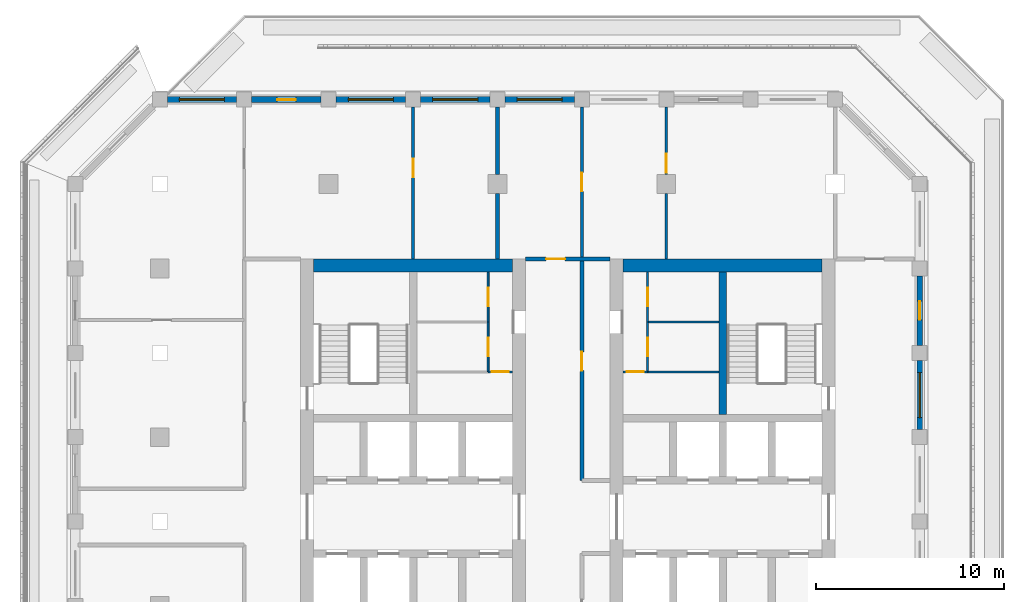
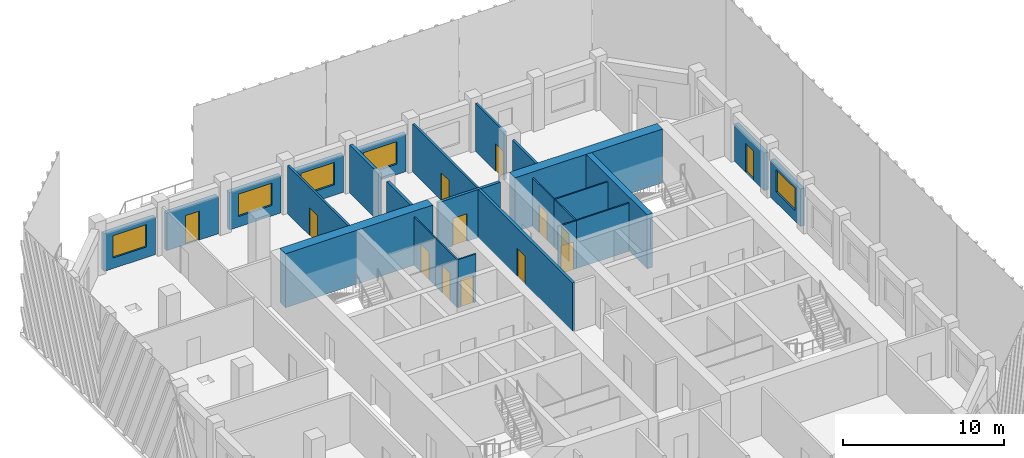
# One storey, part 6 of 14: 26 walls, 13 doors, 5 windows, 18 openings.
"""IFC4 building model written with IfcOpenShell, lengths in metres."""

from ifc_helpers import new_model, si_unit, direction, frame, frame_2d, origin, place, context, subcontext, project, spatial, rectangle, extrude, material, layer, layer_set, type_object, element, fill, save


model = new_model("IFC4")

# Units and contexts
model_context = context("Model", 3, precision=1e-05, world=origin(), true_north=direction((0.0, 1.0)))
body_context = subcontext(model_context, "Body", "Model", "MODEL_VIEW")
ifc_project = project(units=[si_unit("LENGTHUNIT", "METRE"), si_unit("AREAUNIT", "SQUARE_METRE"), si_unit("VOLUMEUNIT", "CUBIC_METRE"), si_unit("PLANEANGLEUNIT", "RADIAN"), si_unit("MASSUNIT", "GRAM", prefix="KILO")], contexts=[model_context])

# Site, building, storey
site_placement = place(None, origin())
site = spatial("IfcSite", under=ifc_project, at=site_placement, CompositionType="ELEMENT")
building_placement = place(site_placement, origin())
building = spatial("IfcBuilding", under=site, at=building_placement, Name="Corbel Stack Research Tower", CompositionType="ELEMENT")
storey_placement = place(building_placement, frame((0.0, 0.0, 266.300048828125)))
storey = spatial("IfcBuildingStorey", under=building, at=storey_placement, Name="L60", CompositionType="ELEMENT", Elevation=266.300048828125)

# Walls
ifc_material_1 = material(Name="Concrete C60/75", Category="concrete")
ifc_layer_1 = layer(ifc_material_1, 0.39990234375)
ifc_layer_set_1 = layer_set([ifc_layer_1], Name="Concrete C60/75")
wall_type_1 = type_object("IfcWallType", Name="CW-400-60", PredefinedType="SHEAR", material=ifc_layer_set_1)
wall_1_placement = place(storey_placement, frame((12.0, 10.199951171875, 0.0), z_axis=(0.0, 0.0, 1.0), x_axis=(0.0, 1.0, 0.0)))
element("IfcWall", 1, at=wall_1_placement, inside=storey, type_object=wall_type_1, Name="East core wall, north stair and riser L60", PredefinedType="SHEAR", context=body_context, shape_type="SweptSolid", body=[
    extrude(rectangle(XDim=7.60009765625, YDim=0.39990234375, at=frame_2d((3.800048828125, 0.0))), origin(), (0.0, 0.0, 1.0), 4.099853515625),
])
ifc_material_2 = material(Name="Concrete C60/75", Category="concrete")
ifc_layer_2 = layer(ifc_material_2, 0.699951171875)
ifc_layer_set_2 = layer_set([ifc_layer_2], Name="Concrete C60/75")
wall_type_2 = type_object("IfcWallType", Name="CW-700-60", PredefinedType="SHEAR", material=ifc_layer_set_2)
for number, where, z_axis, x_axis, name in (
    (2, (-9.800048828125, 18.14990234375, 0.0), (0.0, 0.0, 1.0), (1.0, 0.0, 0.0), "West core wall, north end L60"),
    (3, (6.699951171875, 18.14990234375, 0.0), (0.0, 0.0, 1.0), (1.0, 0.0, 0.0), "East core wall, north end L60"),
):
    element("IfcWall", number, at=place(storey_placement, frame(where, z_axis=z_axis, x_axis=x_axis)), inside=storey, type_object=wall_type_2, Name=name, PredefinedType="SHEAR", context=body_context, shape_type="SweptSolid", body=[
        extrude(rectangle(XDim=10.60009765625, YDim=0.699951171875, at=frame_2d((5.300048828125, 0.0))), origin(), (0.0, 0.0, 1.0), 4.099853515625),
    ])

# Wall, opening, door
ifc_material_3 = material(Name="Gypsum board")
ifc_layer_3 = layer(ifc_material_3, 0.10009765625)
ifc_layer_set_3 = layer_set([ifc_layer_3], Name="Gypsum board")
wall_type_3 = type_object("IfcWallType", Name="Core partition 100", PredefinedType="PARTITIONING", material=ifc_layer_set_3)
wall_2_placement = place(storey_placement, frame((-0.5, 12.47998046875, 0.0), z_axis=(0.0, 0.0, 1.0), x_axis=(1.0, 0.0, 0.0)))
wall_2 = element("IfcWall", 4, at=wall_2_placement, inside=storey, type_object=wall_type_3, Name="Core partition W", PredefinedType="PARTITIONING", context=body_context, shape_type="SweptSolid", body=[
    extrude(rectangle(XDim=1.300048828125, YDim=0.10009765625, at=frame_2d((0.64990234375, 0.0))), origin(), (0.0, 0.0, 1.0), 3.64990234375),
])
opening_1_placement = place(wall_2_placement, frame((0.199951171875, 0.0, 0.0)))
opening_1 = element("IfcOpeningElement", 5, at=opening_1_placement, cuts=wall_2, Name="Opening CR-W24-R1-900", PredefinedType="OPENING", context=body_context, shape_type="SweptSolid", body=[
    extrude(rectangle(XDim=0.89990234375, YDim=2.10009765625, at=frame_2d((0.449951171875, 1.050048828125))), frame((0.0, 0.06005859375, 0.0), z_axis=(0.0, -1.0, 0.0), x_axis=(1.0, 0.0, 0.0)), (0.0, 0.0, 1.0), 0.1201171875),
])
ifc_material_4 = material(Name="Painted steel door", Category="steel")
door_type_1 = type_object("IfcDoorType", Name="Riser door 900 x 2100 FD60 left hand", OperationType="SINGLE_SWING_LEFT", PredefinedType="DOOR", material=ifc_material_4)
door_1_placement = place(opening_1_placement, origin())
door_1 = element("IfcDoor", 6, at=door_1_placement, inside=storey, type_object=door_type_1, Name="Electrical riser door W core", OperationType="SINGLE_SWING_LEFT", OverallHeight=2.10009765625, OverallWidth=0.89990234375, PredefinedType="DOOR", context=body_context, shape_type="SweptSolid", body=[
    extrude(rectangle(XDim=0.89990234375, YDim=2.10009765625, at=frame_2d((0.449951171875, 1.050048828125))), frame((0.0, 0.02490234375, 0.0), z_axis=(0.0, -1.0, 0.0), x_axis=(1.0, 0.0, 0.0)), (0.0, 0.0, 1.0), 0.050048828125),
])
fill(opening_1, door_1)

wall_3_placement = place(storey_placement, frame((-0.5, 12.47998046875, 0.0), z_axis=(0.0, 0.0, 1.0), x_axis=(0.0, 1.0, 0.0)))
wall_3 = element("IfcWall", 7, at=wall_3_placement, inside=storey, type_object=wall_type_3, Name="Core partition W", PredefinedType="PARTITIONING", context=body_context, shape_type="SweptSolid", body=[
    extrude(rectangle(XDim=2.659912109375, YDim=0.10009765625, at=frame_2d((1.330078125, 0.0))), origin(), (0.0, 0.0, 1.0), 3.64990234375),
])
opening_2_placement = place(wall_3_placement, frame((0.830078125, 0.0, 0.0)))
opening_2 = element("IfcOpeningElement", 8, at=opening_2_placement, cuts=wall_3, Name="Opening CR-W24-R3-1000", PredefinedType="OPENING", context=body_context, shape_type="SweptSolid", body=[
    extrude(rectangle(XDim=1.0, YDim=2.10009765625, at=frame_2d((0.5, 1.050048828125))), frame((0.0, 0.06005859375, 0.0), z_axis=(0.0, -1.0, 0.0), x_axis=(1.0, 0.0, 0.0)), (0.0, 0.0, 1.0), 0.1201171875),
])
ifc_material_5 = material(Name="Painted steel door", Category="steel")
door_type_2 = type_object("IfcDoorType", Name="Service door 1000 x 2100 FD30 left hand", OperationType="SINGLE_SWING_LEFT", PredefinedType="DOOR", material=ifc_material_5)
door_2_placement = place(opening_2_placement, origin())
door_2 = element("IfcDoor", 9, at=door_2_placement, inside=storey, type_object=door_type_2, Name="Pantry door W core", OperationType="SINGLE_SWING_LEFT", OverallHeight=2.10009765625, OverallWidth=1.0, PredefinedType="DOOR", context=body_context, shape_type="SweptSolid", body=[
    extrude(rectangle(XDim=1.0, YDim=2.10009765625, at=frame_2d((0.5, 1.050048828125))), frame((0.0, 0.02490234375, 0.0), z_axis=(0.0, -1.0, 0.0), x_axis=(1.0, 0.0, 0.0)), (0.0, 0.0, 1.0), 0.050048828125),
])
fill(opening_2, door_2)

wall_4_placement = place(storey_placement, frame((-0.5, 15.139892578125, 0.0), z_axis=(0.0, 0.0, 1.0), x_axis=(0.0, 1.0, 0.0)))
wall_4 = element("IfcWall", 10, at=wall_4_placement, inside=storey, type_object=wall_type_3, Name="Core partition W", PredefinedType="PARTITIONING", context=body_context, shape_type="SweptSolid", body=[
    extrude(rectangle(XDim=2.66015625, YDim=0.10009765625, at=frame_2d((1.330078125, 0.0))), origin(), (0.0, 0.0, 1.0), 3.64990234375),
])
opening_3_placement = place(wall_4_placement, frame((0.830078125, 0.0, 0.0)))
opening_3 = element("IfcOpeningElement", 11, at=opening_3_placement, cuts=wall_4, Name="Opening CR-W24-R4-1000", PredefinedType="OPENING", context=body_context, shape_type="SweptSolid", body=[
    extrude(rectangle(XDim=1.0, YDim=2.10009765625, at=frame_2d((0.5, 1.050048828125))), frame((0.0, 0.06005859375, 0.0), z_axis=(0.0, -1.0, 0.0), x_axis=(1.0, 0.0, 0.0)), (0.0, 0.0, 1.0), 0.1201171875),
])
ifc_material_6 = material(Name="Painted steel door", Category="steel")
door_type_3 = type_object("IfcDoorType", Name="Service door 1000 x 2100 FD30 right hand", OperationType="SINGLE_SWING_RIGHT", PredefinedType="DOOR", material=ifc_material_6)
door_3_placement = place(opening_3_placement, origin())
door_3 = element("IfcDoor", 12, at=door_3_placement, inside=storey, type_object=door_type_3, Name="Copy and supply store door W core", OperationType="SINGLE_SWING_RIGHT", OverallHeight=2.10009765625, OverallWidth=1.0, PredefinedType="DOOR", context=body_context, shape_type="SweptSolid", body=[
    extrude(rectangle(XDim=1.0, YDim=2.10009765625, at=frame_2d((0.5, 1.050048828125))), frame((0.0, 0.02490234375, 0.0), z_axis=(0.0, -1.0, 0.0), x_axis=(1.0, 0.0, 0.0)), (0.0, 0.0, 1.0), 0.050048828125),
])
fill(opening_3, door_3)

wall_5_placement = place(storey_placement, frame((6.699951171875, 12.47998046875, 0.0), z_axis=(0.0, 0.0, 1.0), x_axis=(1.0, 0.0, 0.0)))
wall_5 = element("IfcWall", 13, at=wall_5_placement, inside=storey, type_object=wall_type_3, Name="Core partition E", PredefinedType="PARTITIONING", context=body_context, shape_type="SweptSolid", body=[
    extrude(rectangle(XDim=1.300048828125, YDim=0.10009765625, at=frame_2d((0.64990234375, 0.0))), origin(), (0.0, 0.0, 1.0), 3.64990234375),
])
opening_4_placement = place(wall_5_placement, frame((0.199951171875, 0.0, 0.0)))
opening_4 = element("IfcOpeningElement", 14, at=opening_4_placement, cuts=wall_5, Name="Opening CR-E24-R1-900", PredefinedType="OPENING", context=body_context, shape_type="SweptSolid", body=[
    extrude(rectangle(XDim=0.89990234375, YDim=2.10009765625, at=frame_2d((0.449951171875, 1.050048828125))), frame((0.0, 0.06005859375, 0.0), z_axis=(0.0, -1.0, 0.0), x_axis=(1.0, 0.0, 0.0)), (0.0, 0.0, 1.0), 0.1201171875),
])
ifc_material_7 = material(Name="Painted steel door", Category="steel")
door_type_4 = type_object("IfcDoorType", Name="Riser door 900 x 2100 FD60 right hand", OperationType="SINGLE_SWING_RIGHT", PredefinedType="DOOR", material=ifc_material_7)
door_4_placement = place(opening_4_placement, origin())
door_4 = element("IfcDoor", 15, at=door_4_placement, inside=storey, type_object=door_type_4, Name="Electrical riser door E core", OperationType="SINGLE_SWING_RIGHT", OverallHeight=2.10009765625, OverallWidth=0.89990234375, PredefinedType="DOOR", context=body_context, shape_type="SweptSolid", body=[
    extrude(rectangle(XDim=0.89990234375, YDim=2.10009765625, at=frame_2d((0.449951171875, 1.050048828125))), frame((0.0, 0.02490234375, 0.0), z_axis=(0.0, -1.0, 0.0), x_axis=(1.0, 0.0, 0.0)), (0.0, 0.0, 1.0), 0.050048828125),
])
fill(opening_4, door_4)

# Wall
wall_6_placement = place(storey_placement, frame((8.0, 12.47998046875, 0.0), z_axis=(0.0, 0.0, 1.0), x_axis=(1.0, 0.0, 0.0)))
element("IfcWall", 16, at=wall_6_placement, inside=storey, type_object=wall_type_3, Name="Core partition E", PredefinedType="PARTITIONING", context=body_context, shape_type="SweptSolid", body=[
    extrude(rectangle(XDim=3.800048828125, YDim=0.10009765625, at=frame_2d((1.89990234375, 0.0))), origin(), (0.0, 0.0, 1.0), 3.64990234375),
])

# Wall, opening, door
wall_7_placement = place(storey_placement, frame((8.0, 12.47998046875, 0.0), z_axis=(0.0, 0.0, 1.0), x_axis=(0.0, 1.0, 0.0)))
wall_7 = element("IfcWall", 17, at=wall_7_placement, inside=storey, type_object=wall_type_3, Name="Core partition E", PredefinedType="PARTITIONING", context=body_context, shape_type="SweptSolid", body=[
    extrude(rectangle(XDim=2.659912109375, YDim=0.10009765625, at=frame_2d((1.330078125, 0.0))), origin(), (0.0, 0.0, 1.0), 3.64990234375),
])
opening_5_placement = place(wall_7_placement, frame((0.830078125, 0.0, 0.0)))
opening_5 = element("IfcOpeningElement", 18, at=opening_5_placement, cuts=wall_7, Name="Opening CR-E24-R3-1000", PredefinedType="OPENING", context=body_context, shape_type="SweptSolid", body=[
    extrude(rectangle(XDim=1.0, YDim=2.10009765625, at=frame_2d((0.5, 1.050048828125))), frame((0.0, 0.06005859375, 0.0), z_axis=(0.0, -1.0, 0.0), x_axis=(1.0, 0.0, 0.0)), (0.0, 0.0, 1.0), 0.1201171875),
])
door_5_placement = place(opening_5_placement, origin())
door_5 = element("IfcDoor", 19, at=door_5_placement, inside=storey, type_object=door_type_3, Name="Pantry door E core", OperationType="SINGLE_SWING_RIGHT", OverallHeight=2.10009765625, OverallWidth=1.0, PredefinedType="DOOR", context=body_context, shape_type="SweptSolid", body=[
    extrude(rectangle(XDim=1.0, YDim=2.10009765625, at=frame_2d((0.5, 1.050048828125))), frame((0.0, 0.02490234375, 0.0), z_axis=(0.0, -1.0, 0.0), x_axis=(1.0, 0.0, 0.0)), (0.0, 0.0, 1.0), 0.050048828125),
])
fill(opening_5, door_5)

wall_8_placement = place(storey_placement, frame((8.0, 15.139892578125, 0.0), z_axis=(0.0, 0.0, 1.0), x_axis=(0.0, 1.0, 0.0)))
wall_8 = element("IfcWall", 20, at=wall_8_placement, inside=storey, type_object=wall_type_3, Name="Core partition E", PredefinedType="PARTITIONING", context=body_context, shape_type="SweptSolid", body=[
    extrude(rectangle(XDim=2.66015625, YDim=0.10009765625, at=frame_2d((1.330078125, 0.0))), origin(), (0.0, 0.0, 1.0), 3.64990234375),
])
opening_6_placement = place(wall_8_placement, frame((0.830078125, 0.0, 0.0)))
opening_6 = element("IfcOpeningElement", 21, at=opening_6_placement, cuts=wall_8, Name="Opening CR-E24-R4-1000", PredefinedType="OPENING", context=body_context, shape_type="SweptSolid", body=[
    extrude(rectangle(XDim=1.0, YDim=2.10009765625, at=frame_2d((0.5, 1.050048828125))), frame((0.0, 0.06005859375, 0.0), z_axis=(0.0, -1.0, 0.0), x_axis=(1.0, 0.0, 0.0)), (0.0, 0.0, 1.0), 0.1201171875),
])
door_6_placement = place(opening_6_placement, origin())
door_6 = element("IfcDoor", 22, at=door_6_placement, inside=storey, type_object=door_type_2, Name="Copy and supply store door E core", OperationType="SINGLE_SWING_LEFT", OverallHeight=2.10009765625, OverallWidth=1.0, PredefinedType="DOOR", context=body_context, shape_type="SweptSolid", body=[
    extrude(rectangle(XDim=1.0, YDim=2.10009765625, at=frame_2d((0.5, 1.050048828125))), frame((0.0, 0.02490234375, 0.0), z_axis=(0.0, -1.0, 0.0), x_axis=(1.0, 0.0, 0.0)), (0.0, 0.0, 1.0), 0.050048828125),
])
fill(opening_6, door_6)

# Wall
wall_9_placement = place(storey_placement, frame((8.0, 15.139892578125, 0.0), z_axis=(0.0, 0.0, 1.0), x_axis=(1.0, 0.0, 0.0)))
element("IfcWall", 23, at=wall_9_placement, inside=storey, type_object=wall_type_3, Name="Core partition E", PredefinedType="PARTITIONING", context=body_context, shape_type="SweptSolid", body=[
    extrude(rectangle(XDim=3.800048828125, YDim=0.10009765625, at=frame_2d((1.89990234375, 0.0))), origin(), (0.0, 0.0, 1.0), 3.64990234375),
])

# Wall, opening, door
ifc_material_8 = material(Name="Fire-rated gypsum board partition on steel studs", Category="steel")
ifc_layer_4 = layer(ifc_material_8, 0.14990234375)
ifc_layer_set_4 = layer_set([ifc_layer_4], Name="Fire-rated gypsum board partition on steel studs")
wall_type_4 = type_object("IfcWallType", Name="Fire-rated partition 150 EI 60", PredefinedType="PARTITIONING", material=ifc_layer_set_4)
wall_10_placement = place(storey_placement, frame((-4.5, 26.60009765625, 0.0), z_axis=(0.0, 0.0, 1.0), x_axis=(0.0, -1.0, 0.0)))
wall_10 = element("IfcWall", 24, at=wall_10_placement, inside=storey, type_object=wall_type_4, Name="Partition L60-006", PredefinedType="PARTITIONING", context=body_context, shape_type="SweptSolid", body=[
    extrude(rectangle(XDim=8.10009765625, YDim=0.14990234375, at=frame_2d((4.050048828125, 0.0))), origin(), (0.0, 0.0, 1.0), 3.64990234375),
])
opening_7_placement = place(wall_10_placement, frame((2.75, 0.0, 0.0)))
opening_7 = element("IfcOpeningElement", 25, at=opening_7_placement, cuts=wall_10, Name="Opening B8V0H-010", PredefinedType="OPENING", context=body_context, shape_type="SweptSolid", body=[
    extrude(rectangle(XDim=1.0, YDim=2.10009765625, at=frame_2d((0.5, 1.050048828125))), frame((0.0, 0.0849609375, 0.0), z_axis=(0.0, -1.0, 0.0), x_axis=(1.0, 0.0, 0.0)), (0.0, 0.0, 1.0), 0.169921875),
])
ifc_material_9 = material(Name="Painted steel fire door", Category="steel")
door_type_5 = type_object("IfcDoorType", Name="Fire door FD30S 1000 x 2100", OperationType="NOTDEFINED", PredefinedType="DOOR", material=ifc_material_9)
door_7_placement = place(opening_7_placement, origin())
door_7 = element("IfcDoor", 26, at=door_7_placement, inside=storey, type_object=door_type_5, Name="Door B8V0H-010", OperationType="SINGLE_SWING_LEFT", OverallHeight=2.10009765625, OverallWidth=1.0, PredefinedType="DOOR", context=body_context, shape_type="SweptSolid", body=[
    extrude(rectangle(XDim=1.0, YDim=2.10009765625, at=frame_2d((0.5, 1.050048828125))), frame((0.0, 0.02490234375, 0.0), z_axis=(0.0, -1.0, 0.0), x_axis=(1.0, 0.0, 0.0)), (0.0, 0.0, 1.0), 0.050048828125),
])
fill(opening_7, door_7)

wall_11_placement = place(storey_placement, frame((4.5, 26.60009765625, 0.0), z_axis=(0.0, 0.0, 1.0), x_axis=(0.0, -1.0, 0.0)))
wall_11 = element("IfcWall", 27, at=wall_11_placement, inside=storey, type_object=wall_type_4, Name="Partition L60-010", PredefinedType="PARTITIONING", context=body_context, shape_type="SweptSolid", body=[
    extrude(rectangle(XDim=8.10009765625, YDim=0.14990234375, at=frame_2d((4.050048828125, 0.0))), origin(), (0.0, 0.0, 1.0), 3.64990234375),
])
opening_8_placement = place(wall_11_placement, frame((3.5, 0.0, 0.0)))
opening_8 = element("IfcOpeningElement", 28, at=opening_8_placement, cuts=wall_11, Name="Opening B8V0H-013", PredefinedType="OPENING", context=body_context, shape_type="SweptSolid", body=[
    extrude(rectangle(XDim=1.0, YDim=2.10009765625, at=frame_2d((0.5, 1.050048828125))), frame((0.0, 0.0849609375, 0.0), z_axis=(0.0, -1.0, 0.0), x_axis=(1.0, 0.0, 0.0)), (0.0, 0.0, 1.0), 0.169921875),
])
door_8_placement = place(opening_8_placement, origin())
door_8 = element("IfcDoor", 29, at=door_8_placement, inside=storey, type_object=door_type_5, Name="Door B8V0H-013", OperationType="SINGLE_SWING_LEFT", OverallHeight=2.10009765625, OverallWidth=1.0, PredefinedType="DOOR", context=body_context, shape_type="SweptSolid", body=[
    extrude(rectangle(XDim=1.0, YDim=2.10009765625, at=frame_2d((0.5, 1.050048828125))), frame((0.0, 0.02490234375, 0.0), z_axis=(0.0, -1.0, 0.0), x_axis=(1.0, 0.0, 0.0)), (0.0, 0.0, 1.0), 0.050048828125),
])
fill(opening_8, door_8)

wall_12_placement = place(storey_placement, frame((9.0, 26.60009765625, 0.0), z_axis=(0.0, 0.0, 1.0), x_axis=(0.0, -1.0, 0.0)))
wall_12 = element("IfcWall", 30, at=wall_12_placement, inside=storey, type_object=wall_type_4, Name="Partition L60-016", PredefinedType="PARTITIONING", context=body_context, shape_type="SweptSolid", body=[
    extrude(rectangle(XDim=3.60009765625, YDim=0.14990234375, at=frame_2d((1.800048828125, 0.0))), origin(), (0.0, 0.0, 1.0), 3.64990234375),
])
opening_9_placement = place(wall_12_placement, frame((2.5, 0.0, 0.0)))
opening_9 = element("IfcOpeningElement", 31, at=opening_9_placement, cuts=wall_12, Name="Opening B8V0H-015", PredefinedType="OPENING", context=body_context, shape_type="SweptSolid", body=[
    extrude(rectangle(XDim=1.0, YDim=2.10009765625, at=frame_2d((0.5, 1.050048828125))), frame((0.0, 0.0849609375, 0.0), z_axis=(0.0, -1.0, 0.0), x_axis=(1.0, 0.0, 0.0)), (0.0, 0.0, 1.0), 0.169921875),
])
door_9_placement = place(opening_9_placement, origin())
door_9 = element("IfcDoor", 32, at=door_9_placement, inside=storey, type_object=door_type_5, Name="Door B8V0H-015", OperationType="SINGLE_SWING_RIGHT", OverallHeight=2.10009765625, OverallWidth=1.0, PredefinedType="DOOR", context=body_context, shape_type="SweptSolid", body=[
    extrude(rectangle(XDim=1.0, YDim=2.10009765625, at=frame_2d((0.5, 1.050048828125))), frame((0.0, 0.02490234375, 0.0), z_axis=(0.0, -1.0, 0.0), x_axis=(1.0, 0.0, 0.0)), (0.0, 0.0, 1.0), 0.050048828125),
])
fill(opening_9, door_9)

# Walls
ifc_material_10 = material(Name="Fire-rated gypsum board partition on steel studs", Category="steel")
ifc_layer_5 = layer(ifc_material_10, 0.199951171875)
ifc_layer_set_5 = layer_set([ifc_layer_5], Name="Fire-rated gypsum board partition on steel studs")
wall_type_5 = type_object("IfcWallType", Name="Fire-rated partition 200 EI 60", PredefinedType="PARTITIONING", material=ifc_layer_set_5)
wall_13_placement = place(storey_placement, frame((0.0, 18.5, 0.0), z_axis=(0.0, 0.0, 1.0), x_axis=(0.0, 1.0, 0.0)))
element("IfcWall", 33, at=wall_13_placement, inside=storey, type_object=wall_type_5, Name="Partition L60-008", PredefinedType="PARTITIONING", context=body_context, shape_type="SweptSolid", body=[
    extrude(rectangle(XDim=3.5, YDim=0.199951171875, at=frame_2d((1.75, 0.0))), origin(), (0.0, 0.0, 1.0), 3.64990234375),
])
wall_14_placement = place(storey_placement, frame((0.0, 23.0, 0.0), z_axis=(0.0, 0.0, 1.0), x_axis=(0.0, 1.0, 0.0)))
element("IfcWall", 34, at=wall_14_placement, inside=storey, type_object=wall_type_5, Name="Partition L60-009", PredefinedType="PARTITIONING", context=body_context, shape_type="SweptSolid", body=[
    extrude(rectangle(XDim=3.60009765625, YDim=0.199951171875, at=frame_2d((1.800048828125, 0.0))), origin(), (0.0, 0.0, 1.0), 3.64990234375),
])

# Wall, opening, door
wall_15_placement = place(storey_placement, frame((4.5, 18.5, 0.0), z_axis=(0.0, 0.0, 1.0), x_axis=(0.0, -1.0, 0.0)))
wall_15 = element("IfcWall", 35, at=wall_15_placement, inside=storey, type_object=wall_type_5, Name="Partition L60-013", PredefinedType="PARTITIONING", context=body_context, shape_type="SweptSolid", body=[
    extrude(rectangle(XDim=11.800048828125, YDim=0.199951171875, at=frame_2d((5.89990234375, 0.0))), origin(), (0.0, 0.0, 1.0), 3.64990234375),
])
opening_10_placement = place(wall_15_placement, frame((4.949951171875, 0.0, 0.0)))
opening_10 = element("IfcOpeningElement", 36, at=opening_10_placement, cuts=wall_15, Name="Opening B8V0H-012", PredefinedType="OPENING", context=body_context, shape_type="SweptSolid", body=[
    extrude(rectangle(XDim=1.0, YDim=2.10009765625, at=frame_2d((0.5, 1.050048828125))), frame((0.0, 0.10986328125, 0.0), z_axis=(0.0, -1.0, 0.0), x_axis=(1.0, 0.0, 0.0)), (0.0, 0.0, 1.0), 0.219970703125),
])
door_10_placement = place(opening_10_placement, origin())
door_10 = element("IfcDoor", 37, at=door_10_placement, inside=storey, type_object=door_type_5, Name="Door B8V0H-012", OperationType="SINGLE_SWING_LEFT", OverallHeight=2.10009765625, OverallWidth=1.0, PredefinedType="DOOR", context=body_context, shape_type="SweptSolid", body=[
    extrude(rectangle(XDim=1.0, YDim=2.10009765625, at=frame_2d((0.5, 1.050048828125))), frame((0.0, 0.02490234375, 0.0), z_axis=(0.0, -1.0, 0.0), x_axis=(1.0, 0.0, 0.0)), (0.0, 0.0, 1.0), 0.050048828125),
])
fill(opening_10, door_10)

wall_16_placement = place(storey_placement, frame((1.5, 18.5, 0.0), z_axis=(0.0, 0.0, 1.0), x_axis=(1.0, 0.0, 0.0)))
wall_16 = element("IfcWall", 38, at=wall_16_placement, inside=storey, type_object=wall_type_5, Name="Partition L60-031", PredefinedType="PARTITIONING", context=body_context, shape_type="SweptSolid", body=[
    extrude(rectangle(XDim=4.5, YDim=0.199951171875, at=frame_2d((2.25, 0.0))), origin(), (0.0, 0.0, 1.0), 3.64990234375),
])
opening_11_placement = place(wall_16_placement, frame((1.10009765625, 0.0, 0.0)))
opening_11 = element("IfcOpeningElement", 39, at=opening_11_placement, cuts=wall_16, Name="Opening B8V0H-017", PredefinedType="OPENING", context=body_context, shape_type="SweptSolid", body=[
    extrude(rectangle(XDim=1.0, YDim=2.10009765625, at=frame_2d((0.5, 1.050048828125))), frame((0.0, 0.10986328125, 0.0), z_axis=(0.0, -1.0, 0.0), x_axis=(1.0, 0.0, 0.0)), (0.0, 0.0, 1.0), 0.219970703125),
])
door_11_placement = place(opening_11_placement, origin())
door_11 = element("IfcDoor", 40, at=door_11_placement, inside=storey, type_object=door_type_5, Name="Door B8V0H-017", OperationType="SINGLE_SWING_LEFT", OverallHeight=2.10009765625, OverallWidth=1.0, PredefinedType="DOOR", context=body_context, shape_type="SweptSolid", body=[
    extrude(rectangle(XDim=1.0, YDim=2.10009765625, at=frame_2d((0.5, 1.050048828125))), frame((0.0, 0.02490234375, 0.0), z_axis=(0.0, -1.0, 0.0), x_axis=(1.0, 0.0, 0.0)), (0.0, 0.0, 1.0), 0.050048828125),
])
fill(opening_11, door_11)

# Wall
ifc_material_11 = material(Name="Gypsum board partition on steel studs", Category="steel")
ifc_layer_6 = layer(ifc_material_11, 0.14990234375)
ifc_layer_set_6 = layer_set([ifc_layer_6], Name="Gypsum board partition on steel studs")
wall_type_6 = type_object("IfcWallType", Name="Partition 150", PredefinedType="PARTITIONING", material=ifc_layer_set_6)
wall_17_placement = place(storey_placement, frame((9.0, 18.5, 0.0), z_axis=(0.0, 0.0, 1.0), x_axis=(0.0, 1.0, 0.0)))
element("IfcWall", 41, at=wall_17_placement, inside=storey, type_object=wall_type_6, Name="Partition L60-015", PredefinedType="PARTITIONING", context=body_context, shape_type="SweptSolid", body=[
    extrude(rectangle(XDim=3.5, YDim=0.14990234375, at=frame_2d((1.75, 0.0))), origin(), (0.0, 0.0, 1.0), 3.64990234375),
])

# Wall, opening, window
ifc_material_12 = material(Name="Concrete C45/55", Category="concrete")
ifc_layer_7 = layer(ifc_material_12, 0.300048828125)
ifc_layer_set_7 = layer_set([ifc_layer_7], Name="Concrete C45/55")
wall_type_7 = type_object("IfcWallType", Name="Terracotta-faced concrete wall 300", PredefinedType="SOLIDWALL", material=ifc_layer_set_7)
wall_18_placement = place(storey_placement, frame((22.5, 13.10009765625, 0.0), z_axis=(0.0, 0.0, 1.0), x_axis=(0.0, -1.0, 0.0)))
wall_18 = element("IfcWall", 42, at=wall_18_placement, inside=storey, type_object=wall_type_7, Name="Facade wall L60 E06", PredefinedType="SOLIDWALL", context=body_context, shape_type="SweptSolid", body=[
    extrude(rectangle(XDim=3.7001953125, YDim=0.300048828125, at=frame_2d((1.85009765625, 0.0))), origin(), (0.0, 0.0, 1.0), 2.849853515625),
])
opening_12_placement = place(wall_18_placement, frame((0.64990234375, 0.0, 0.800048828125)))
opening_12 = element("IfcOpeningElement", 43, at=opening_12_placement, cuts=wall_18, Name="Opening W1", PredefinedType="OPENING", context=body_context, shape_type="SweptSolid", body=[
    extrude(rectangle(XDim=2.39990234375, YDim=1.699951171875, at=frame_2d((1.199951171875, 0.85009765625))), frame((0.0, 0.159912109375, 0.0), z_axis=(0.0, -1.0, 0.0), x_axis=(1.0, 0.0, 0.0)), (0.0, 0.0, 1.0), 0.320068359375),
])
ifc_material_13 = material(Name="Aluminium frame, clear double glazing", Category="aluminium")
window_type = type_object("IfcWindowType", Name="Window W1 2400 x 1700", PartitioningType="SINGLE_PANEL", PredefinedType="WINDOW", material=ifc_material_13)
window_1_placement = place(opening_12_placement, origin())
window_1 = element("IfcWindow", 44, at=window_1_placement, inside=storey, type_object=window_type, Name="Window W1 L60 E06", OverallHeight=1.699951171875, OverallWidth=2.39990234375, PartitioningType="SINGLE_PANEL", PredefinedType="WINDOW", context=body_context, shape_type="SweptSolid", body=[
    extrude(rectangle(XDim=2.39990234375, YDim=1.699951171875, at=frame_2d((1.199951171875, 0.85009765625))), frame((0.0, 0.030029296875, 0.0), z_axis=(0.0, -1.0, 0.0), x_axis=(1.0, 0.0, 0.0)), (0.0, 0.0, 1.0), 0.06005859375),
])
fill(opening_12, window_1)

# Wall, opening, door
wall_19_placement = place(storey_placement, frame((22.5, 17.60009765625, 0.0), z_axis=(0.0, 0.0, 1.0), x_axis=(0.0, -1.0, 0.0)))
wall_19 = element("IfcWall", 45, at=wall_19_placement, inside=storey, type_object=wall_type_7, Name="Facade wall L60 E07", PredefinedType="SOLIDWALL", context=body_context, shape_type="SweptSolid", body=[
    extrude(rectangle(XDim=3.7001953125, YDim=0.300048828125, at=frame_2d((1.85009765625, 0.0))), origin(), (0.0, 0.0, 1.0), 2.849853515625),
])
opening_13_placement = place(wall_19_placement, frame((1.35009765625, 0.0, 0.0)))
opening_13 = element("IfcOpeningElement", 46, at=opening_13_placement, cuts=wall_19, Name="Opening L60-B05", PredefinedType="OPENING", context=body_context, shape_type="SweptSolid", body=[
    extrude(rectangle(XDim=1.0, YDim=2.199951171875, at=frame_2d((0.5, 1.10009765625))), frame((0.0, 0.159912109375, 0.0), z_axis=(0.0, -1.0, 0.0), x_axis=(1.0, 0.0, 0.0)), (0.0, 0.0, 1.0), 0.320068359375),
])
ifc_material_14 = material(Name="Aluminium frame, clear double glazing", Category="aluminium")
door_type_6 = type_object("IfcDoorType", Name="Balcony door BD1 1000 x 2200", OperationType="NOTDEFINED", PredefinedType="DOOR", material=ifc_material_14)
door_12_placement = place(opening_13_placement, origin())
door_12 = element("IfcDoor", 47, at=door_12_placement, inside=storey, type_object=door_type_6, Name="Balcony door L60-B05", OperationType="SINGLE_SWING_LEFT", OverallHeight=2.199951171875, OverallWidth=1.0, PredefinedType="DOOR", context=body_context, shape_type="SweptSolid", body=[
    extrude(rectangle(XDim=1.0, YDim=2.199951171875, at=frame_2d((0.5, 1.10009765625))), frame((0.0, 0.02490234375, 0.0), z_axis=(0.0, -1.0, 0.0), x_axis=(1.0, 0.0, 0.0)), (0.0, 0.0, 1.0), 0.050048828125),
])
fill(opening_13, door_12)

# Wall, opening, window
wall_20_placement = place(storey_placement, frame((0.39990234375, 27.0, 0.0), z_axis=(0.0, 0.0, 1.0), x_axis=(1.0, 0.0, 0.0)))
wall_20 = element("IfcWall", 48, at=wall_20_placement, inside=storey, type_object=wall_type_7, Name="Facade wall L60 N04", PredefinedType="SOLIDWALL", context=body_context, shape_type="SweptSolid", body=[
    extrude(rectangle(XDim=3.7001953125, YDim=0.300048828125, at=frame_2d((1.85009765625, 0.0))), origin(), (0.0, 0.0, 1.0), 2.849853515625),
])
opening_14_placement = place(wall_20_placement, frame((0.64990234375, 0.0, 0.800048828125)))
opening_14 = element("IfcOpeningElement", 49, at=opening_14_placement, cuts=wall_20, Name="Opening W1", PredefinedType="OPENING", context=body_context, shape_type="SweptSolid", body=[
    extrude(rectangle(XDim=2.39990234375, YDim=1.699951171875, at=frame_2d((1.199951171875, 0.85009765625))), frame((0.0, 0.159912109375, 0.0), z_axis=(0.0, -1.0, 0.0), x_axis=(1.0, 0.0, 0.0)), (0.0, 0.0, 1.0), 0.320068359375),
])
window_2_placement = place(opening_14_placement, origin())
window_2 = element("IfcWindow", 50, at=window_2_placement, inside=storey, type_object=window_type, Name="Window W1 L60 N04", OverallHeight=1.699951171875, OverallWidth=2.39990234375, PartitioningType="SINGLE_PANEL", PredefinedType="WINDOW", context=body_context, shape_type="SweptSolid", body=[
    extrude(rectangle(XDim=2.39990234375, YDim=1.699951171875, at=frame_2d((1.199951171875, 0.85009765625))), frame((0.0, 0.030029296875, 0.0), z_axis=(0.0, -1.0, 0.0), x_axis=(1.0, 0.0, 0.0)), (0.0, 0.0, 1.0), 0.06005859375),
])
fill(opening_14, window_2)

wall_21_placement = place(storey_placement, frame((-4.10009765625, 27.0, 0.0), z_axis=(0.0, 0.0, 1.0), x_axis=(1.0, 0.0, 0.0)))
wall_21 = element("IfcWall", 51, at=wall_21_placement, inside=storey, type_object=wall_type_7, Name="Facade wall L60 N05", PredefinedType="SOLIDWALL", context=body_context, shape_type="SweptSolid", body=[
    extrude(rectangle(XDim=3.7001953125, YDim=0.300048828125, at=frame_2d((1.85009765625, 0.0))), origin(), (0.0, 0.0, 1.0), 2.849853515625),
])
opening_15_placement = place(wall_21_placement, frame((0.64990234375, 0.0, 0.800048828125)))
opening_15 = element("IfcOpeningElement", 52, at=opening_15_placement, cuts=wall_21, Name="Opening W1", PredefinedType="OPENING", context=body_context, shape_type="SweptSolid", body=[
    extrude(rectangle(XDim=2.39990234375, YDim=1.699951171875, at=frame_2d((1.199951171875, 0.85009765625))), frame((0.0, 0.159912109375, 0.0), z_axis=(0.0, -1.0, 0.0), x_axis=(1.0, 0.0, 0.0)), (0.0, 0.0, 1.0), 0.320068359375),
])
window_3_placement = place(opening_15_placement, origin())
window_3 = element("IfcWindow", 53, at=window_3_placement, inside=storey, type_object=window_type, Name="Window W1 L60 N05", OverallHeight=1.699951171875, OverallWidth=2.39990234375, PartitioningType="SINGLE_PANEL", PredefinedType="WINDOW", context=body_context, shape_type="SweptSolid", body=[
    extrude(rectangle(XDim=2.39990234375, YDim=1.699951171875, at=frame_2d((1.199951171875, 0.85009765625))), frame((0.0, 0.030029296875, 0.0), z_axis=(0.0, -1.0, 0.0), x_axis=(1.0, 0.0, 0.0)), (0.0, 0.0, 1.0), 0.06005859375),
])
fill(opening_15, window_3)

wall_22_placement = place(storey_placement, frame((-8.60009765625, 27.0, 0.0), z_axis=(0.0, 0.0, 1.0), x_axis=(1.0, 0.0, 0.0)))
wall_22 = element("IfcWall", 54, at=wall_22_placement, inside=storey, type_object=wall_type_7, Name="Facade wall L60 N06", PredefinedType="SOLIDWALL", context=body_context, shape_type="SweptSolid", body=[
    extrude(rectangle(XDim=3.7001953125, YDim=0.300048828125, at=frame_2d((1.85009765625, 0.0))), origin(), (0.0, 0.0, 1.0), 2.849853515625),
])
opening_16_placement = place(wall_22_placement, frame((0.64990234375, 0.0, 0.800048828125)))
opening_16 = element("IfcOpeningElement", 55, at=opening_16_placement, cuts=wall_22, Name="Opening W1", PredefinedType="OPENING", context=body_context, shape_type="SweptSolid", body=[
    extrude(rectangle(XDim=2.39990234375, YDim=1.699951171875, at=frame_2d((1.199951171875, 0.85009765625))), frame((0.0, 0.159912109375, 0.0), z_axis=(0.0, -1.0, 0.0), x_axis=(1.0, 0.0, 0.0)), (0.0, 0.0, 1.0), 0.320068359375),
])
window_4_placement = place(opening_16_placement, origin())
window_4 = element("IfcWindow", 56, at=window_4_placement, inside=storey, type_object=window_type, Name="Window W1 L60 N06", OverallHeight=1.699951171875, OverallWidth=2.39990234375, PartitioningType="SINGLE_PANEL", PredefinedType="WINDOW", context=body_context, shape_type="SweptSolid", body=[
    extrude(rectangle(XDim=2.39990234375, YDim=1.699951171875, at=frame_2d((1.199951171875, 0.85009765625))), frame((0.0, 0.030029296875, 0.0), z_axis=(0.0, -1.0, 0.0), x_axis=(1.0, 0.0, 0.0)), (0.0, 0.0, 1.0), 0.06005859375),
])
fill(opening_16, window_4)

# Wall, opening, door
wall_23_placement = place(storey_placement, frame((-13.10009765625, 27.0, 0.0), z_axis=(0.0, 0.0, 1.0), x_axis=(1.0, 0.0, 0.0)))
wall_23 = element("IfcWall", 57, at=wall_23_placement, inside=storey, type_object=wall_type_7, Name="Facade wall L60 N07", PredefinedType="SOLIDWALL", context=body_context, shape_type="SweptSolid", body=[
    extrude(rectangle(XDim=3.7001953125, YDim=0.300048828125, at=frame_2d((1.85009765625, 0.0))), origin(), (0.0, 0.0, 1.0), 2.849853515625),
])
opening_17_placement = place(wall_23_placement, frame((1.35009765625, 0.0, 0.0)))
opening_17 = element("IfcOpeningElement", 58, at=opening_17_placement, cuts=wall_23, Name="Opening L60-B08", PredefinedType="OPENING", context=body_context, shape_type="SweptSolid", body=[
    extrude(rectangle(XDim=1.0, YDim=2.199951171875, at=frame_2d((0.5, 1.10009765625))), frame((0.0, 0.159912109375, 0.0), z_axis=(0.0, -1.0, 0.0), x_axis=(1.0, 0.0, 0.0)), (0.0, 0.0, 1.0), 0.320068359375),
])
door_13_placement = place(opening_17_placement, origin())
door_13 = element("IfcDoor", 59, at=door_13_placement, inside=storey, type_object=door_type_6, Name="Balcony door L60-B08", OperationType="SINGLE_SWING_LEFT", OverallHeight=2.199951171875, OverallWidth=1.0, PredefinedType="DOOR", context=body_context, shape_type="SweptSolid", body=[
    extrude(rectangle(XDim=1.0, YDim=2.199951171875, at=frame_2d((0.5, 1.10009765625))), frame((0.0, 0.02490234375, 0.0), z_axis=(0.0, -1.0, 0.0), x_axis=(1.0, 0.0, 0.0)), (0.0, 0.0, 1.0), 0.050048828125),
])
fill(opening_17, door_13)

# Wall, opening, window
wall_24_placement = place(storey_placement, frame((-17.60009765625, 27.0, 0.0), z_axis=(0.0, 0.0, 1.0), x_axis=(1.0, 0.0, 0.0)))
wall_24 = element("IfcWall", 60, at=wall_24_placement, inside=storey, type_object=wall_type_7, Name="Facade wall L60 N08", PredefinedType="SOLIDWALL", context=body_context, shape_type="SweptSolid", body=[
    extrude(rectangle(XDim=3.7001953125, YDim=0.300048828125, at=frame_2d((1.85009765625, 0.0))), origin(), (0.0, 0.0, 1.0), 2.849853515625),
])
opening_18_placement = place(wall_24_placement, frame((0.64990234375, 0.0, 0.800048828125)))
opening_18 = element("IfcOpeningElement", 61, at=opening_18_placement, cuts=wall_24, Name="Opening W1", PredefinedType="OPENING", context=body_context, shape_type="SweptSolid", body=[
    extrude(rectangle(XDim=2.39990234375, YDim=1.699951171875, at=frame_2d((1.199951171875, 0.85009765625))), frame((0.0, 0.159912109375, 0.0), z_axis=(0.0, -1.0, 0.0), x_axis=(1.0, 0.0, 0.0)), (0.0, 0.0, 1.0), 0.320068359375),
])
window_5_placement = place(opening_18_placement, origin())
window_5 = element("IfcWindow", 62, at=window_5_placement, inside=storey, type_object=window_type, Name="Window W1 L60 N08", OverallHeight=1.699951171875, OverallWidth=2.39990234375, PartitioningType="SINGLE_PANEL", PredefinedType="WINDOW", context=body_context, shape_type="SweptSolid", body=[
    extrude(rectangle(XDim=2.39990234375, YDim=1.699951171875, at=frame_2d((1.199951171875, 0.85009765625))), frame((0.0, 0.030029296875, 0.0), z_axis=(0.0, -1.0, 0.0), x_axis=(1.0, 0.0, 0.0)), (0.0, 0.0, 1.0), 0.06005859375),
])
fill(opening_18, window_5)

save(model, "model.ifc")
